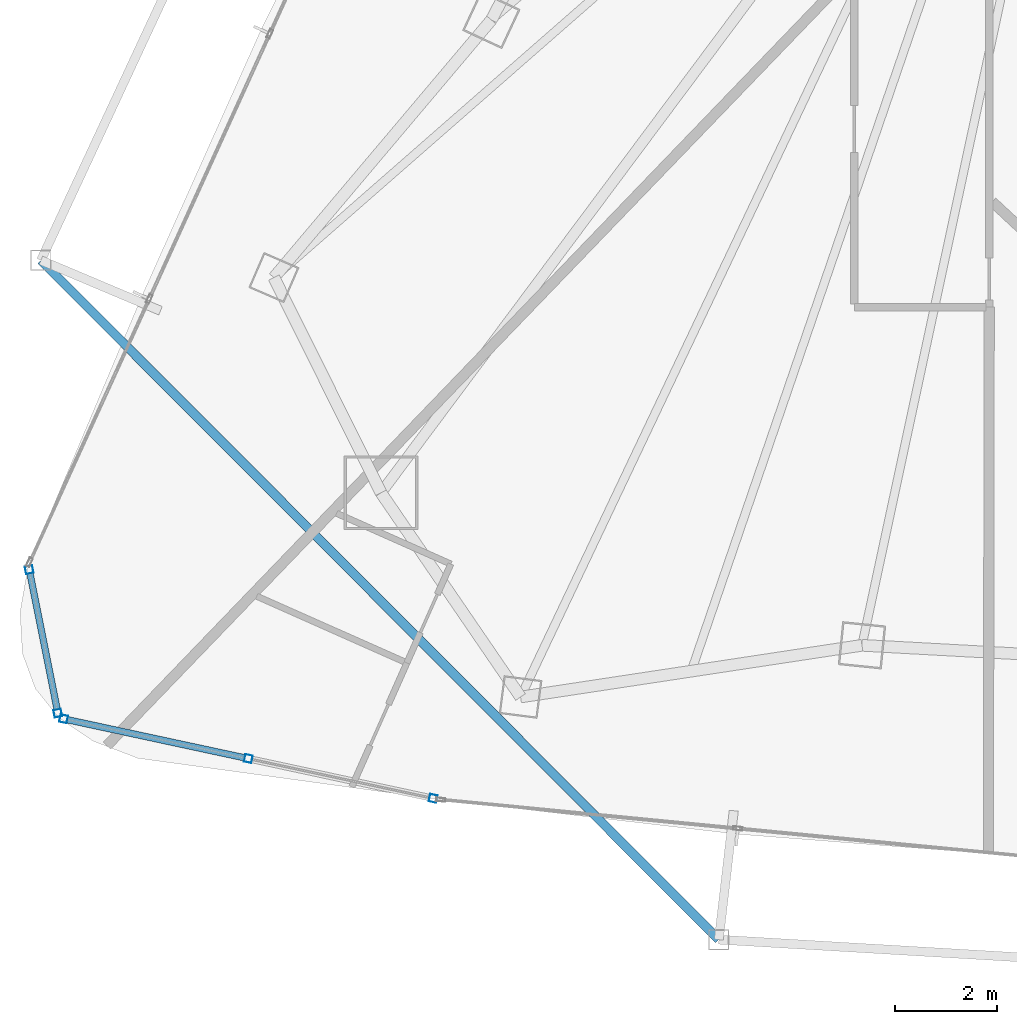
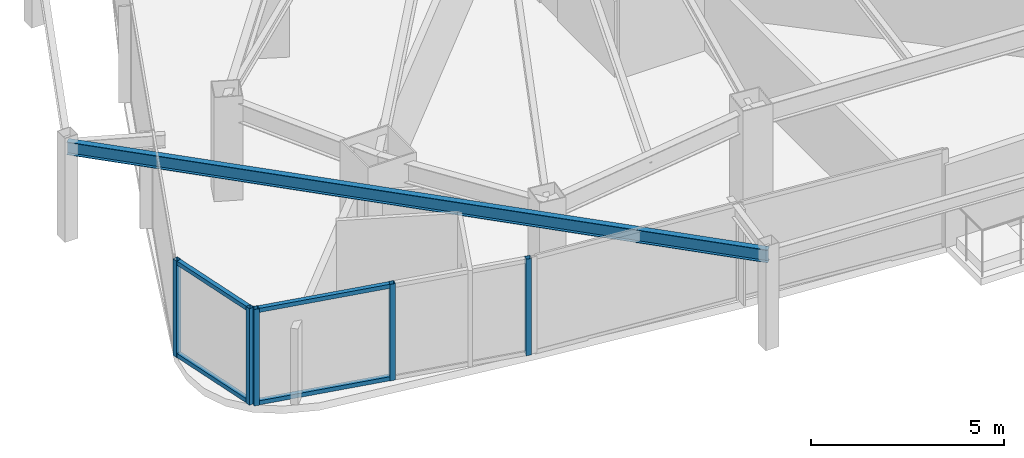
# One storey, part 2 of 31: 9 members, 1 beam, 2 elements without a shape of their own.
"""IFC4 building model written with IfcOpenShell, lengths in metres."""

import ifcopenshell
import ifcopenshell.guid

model = None  # the IFC model being written
_history = None  # IfcOwnerHistory: only IFC2X3 demands one
_inside = {}  # id of a spatial element -> (the spatial element, [elements in it])
_under = {}  # id of a project, library or spatial element -> (it, [spatial elements below it])
_declared = {}  # id of a project -> (the project, [libraries it declares])
_typed = {}  # id of a type object -> (the type object, [elements of that type])
_made_of = {}  # id of a material, layer set ... -> (it, [elements and type objects made of it])


def new_model(schema):
    """Start an empty IFC model of exactly this schema.

    Asked for "IFC4X3", IfcOpenShell would pick the latest addendum, in which some entities
    have other attributes; the version numbers below select the first issue.
    IFC2X3 requires an IfcOwnerHistory on every rooted entity: one is made here for all.
    """
    global model, _history
    if schema == "IFC4X3":
        model = ifcopenshell.file(schema_version=(4, 3, 0, 0))
    else:
        model = ifcopenshell.file(schema=schema)
    _inside.clear()
    _under.clear()
    _declared.clear()
    _typed.clear()
    _made_of.clear()
    _history = None
    if model.schema == "IFC2X3":
        org = make("IfcOrganization", Name="unknown")
        user = make(
            "IfcPersonAndOrganization",
            ThePerson=make("IfcPerson", FamilyName="unknown"),
            TheOrganization=org,
        )
        app = make(
            "IfcApplication",
            ApplicationDeveloper=org,
            Version="unknown",
            ApplicationFullName="unknown",
            ApplicationIdentifier="unknown",
        )
        _history = make(
            "IfcOwnerHistory",
            OwningUser=user,
            OwningApplication=app,
            ChangeAction="ADDED",
            CreationDate=0,
        )
    return model


def make(cls, **values):
    """One entity of the class cls with the attributes given. An attribute that is None is left unset."""
    return model.create_entity(
        cls, **{name: value for name, value in values.items() if value is not None}
    )


def rooted(cls, **values):
    """An entity with a GlobalId (a new one), such as an element, a storey or a relation."""
    return make(cls, GlobalId=ifcopenshell.guid.new(), OwnerHistory=_history, **values)


def si_unit(unit_type, name, prefix=None):
    """IfcSIUnit, for example si_unit("LENGTHUNIT", "METRE", prefix="MILLI")."""
    return make("IfcSIUnit", UnitType=unit_type, Prefix=prefix, Name=name)


def assignment(units):
    """IfcUnitAssignment: the units of a project."""
    return None if units is None else make("IfcUnitAssignment", Units=units)


def point(xyz):
    """IfcCartesianPoint."""
    return None if xyz is None else make("IfcCartesianPoint", Coordinates=xyz)


def direction(xyz):
    """IfcDirection."""
    return None if xyz is None else make("IfcDirection", DirectionRatios=xyz)


def frame(location, z_axis=None, x_axis=None):
    """IfcAxis2Placement3D, a coordinate frame: its origin and axes. An axis left out is left unset."""
    return make(
        "IfcAxis2Placement3D",
        Location=point(location),
        Axis=direction(z_axis),
        RefDirection=direction(x_axis),
    )


def frame_2d(location, x_axis=None):
    """IfcAxis2Placement2D, a coordinate frame in the plane: its origin and x axis."""
    return make(
        "IfcAxis2Placement2D", Location=point(location), RefDirection=direction(x_axis)
    )


def origin():
    """The frame at (0, 0, 0) with its axes left unset."""
    return frame((0.0, 0.0, 0.0))


def origin_2d():
    """The frame at (0, 0) in the plane with its x axis left unset."""
    return frame_2d((0.0, 0.0))


def place(relative_to, where):
    """IfcLocalPlacement: puts the frame where relative to a parent placement (None: the world)."""
    return make(
        "IfcLocalPlacement", PlacementRelTo=relative_to, RelativePlacement=where
    )


def context(
    kind, dimensions, precision=None, world=None, true_north=None, identifier=None
):
    """IfcGeometricRepresentationContext, for example the 3D "Model" context."""
    return make(
        "IfcGeometricRepresentationContext",
        ContextIdentifier=identifier,
        ContextType=kind,
        CoordinateSpaceDimension=dimensions,
        Precision=precision,
        WorldCoordinateSystem=world,
        TrueNorth=true_north,
    )


def subcontext(parent, identifier, kind, view, scale=None):
    """IfcGeometricRepresentationSubContext, for example "Body" below "Model"."""
    return make(
        "IfcGeometricRepresentationSubContext",
        ContextIdentifier=identifier,
        ContextType=kind,
        ParentContext=parent,
        TargetScale=scale,
        TargetView=view,
    )


def project(units=None, contexts=None):
    """IfcProject with its units and contexts."""
    return rooted(
        "IfcProject",
        Name="project",
        RepresentationContexts=contexts,
        UnitsInContext=assignment(units),
    )


def spatial(cls, under=None, at=None, **own):
    """A site, building, storey or space (cls), placed at a placement, below another one or the project."""
    s = rooted(cls, ObjectPlacement=at, **own)
    if under is not None:
        _under.setdefault(under.id(), (under, []))[1].append(s)
    return s


def profile(cls, at=None, kind="AREA", **sizes):
    """A parametric profile (cls). Its sizes go by their IFC names, for example OverallWidth=200.0."""
    return make(cls, ProfileType=kind, Position=at, **sizes)


def hollow_rectangle(**sizes):
    """IfcRectangleHollowProfileDef."""
    return profile("IfcRectangleHollowProfileDef", **sizes)


def i_section(**sizes):
    """IfcIShapeProfileDef."""
    return profile("IfcIShapeProfileDef", **sizes)


def extrude(swept, where, along, depth):
    """IfcExtrudedAreaSolid: the profile swept, set in the frame where, extruded along a direction by depth."""
    return make(
        "IfcExtrudedAreaSolid",
        SweptArea=swept,
        Position=where,
        ExtrudedDirection=direction(along),
        Depth=depth,
    )


def shape(context_of_items, identifier, shape_type, items):
    """IfcShapeRepresentation: the items that make up one representation, for example the "Body"."""
    return make(
        "IfcShapeRepresentation",
        ContextOfItems=context_of_items,
        RepresentationIdentifier=identifier,
        RepresentationType=shape_type,
        Items=items,
    )


def material(Name=None, Category=None):
    """IfcMaterial."""
    return make("IfcMaterial", Name=Name, Category=Category)


def layer(
    of_material, thickness, ventilated=None, Name=None, Category=None, Priority=None
):
    """IfcMaterialLayer: one layer of a wall or slab, of a material (None: an air gap)."""
    return make(
        "IfcMaterialLayer",
        Material=of_material,
        LayerThickness=thickness,
        IsVentilated=ventilated,
        Name=Name,
        Category=Category,
        Priority=Priority,
    )


def layer_set(layers, Name=None):
    """IfcMaterialLayerSet."""
    return make("IfcMaterialLayerSet", MaterialLayers=layers, LayerSetName=Name)


def material_profile(
    of_material, cross_section, Name=None, Category=None, Priority=None
):
    """IfcMaterialProfile: a cross section and its material."""
    return make(
        "IfcMaterialProfile",
        Name=Name,
        Material=of_material,
        Profile=cross_section,
        Priority=Priority,
        Category=Category,
    )


def profile_set(profiles, Name=None, composite=None):
    """IfcMaterialProfileSet."""
    return make(
        "IfcMaterialProfileSet",
        Name=Name,
        MaterialProfiles=profiles,
        CompositeProfile=composite,
    )


def made_of(thing, what):
    """Note that an element or type object is made of a material, layer set ...; save() writes the relation."""
    if what is not None:
        _made_of.setdefault(what.id(), (what, []))[1].append(thing)
    return thing


def type_object(cls, material=None, **own):
    """A type object (cls), such as IfcWallType, which elements share."""
    return made_of(rooted(cls, **own), material)


def element(
    cls,
    number,
    at=None,
    inside=None,
    cuts=None,
    type_object=None,
    material=None,
    context=None,
    identifier="Body",
    shape_type=None,
    held_by="IfcProductDefinitionShape",
    body=None,
    shapes=None,
    **own,
):
    """One element of the class cls, such as IfcWall. Its Tag is "e" and its number.

    at: its placement. inside: the storey or other place that contains it. cuts: it is an
    opening in that element (IfcRelVoidsElement). A single representation is given by context,
    identifier, shape_type and body (its items); several are given by shapes. held_by: the class
    of the entity that holds the representations. save() writes the other relations.
    """
    e = rooted(cls, Tag="e%d" % number, ObjectPlacement=at, **own)
    if body is not None:
        shapes = [shape(context, identifier, shape_type, body)]
    if shapes is not None:
        e.Representation = make(held_by, Representations=shapes)
    if inside is not None:
        _inside.setdefault(inside.id(), (inside, []))[1].append(e)
    if cuts is not None:
        rooted(
            "IfcRelVoidsElement", RelatingBuildingElement=cuts, RelatedOpeningElement=e
        )
    if type_object is not None:
        _typed.setdefault(type_object.id(), (type_object, []))[1].append(e)
    return made_of(e, material)


def aggregate(whole, parts):
    """IfcRelAggregates: a whole, such as a stair, and the parts it consists of."""
    return rooted("IfcRelAggregates", RelatingObject=whole, RelatedObjects=parts)


def save(model, path):
    """Write the relations noted so far, then the file.

    IfcRelAggregates (storeys below a building ...), IfcRelContainedInSpatialStructure (elements
    in a storey), IfcRelDefinesByType, IfcRelAssociatesMaterial and IfcRelDeclares: one each for
    every whole, place, type object, material and project.
    """
    for whole, parts in _under.values():
        aggregate(whole, parts)
    for where, things in _inside.values():
        rooted(
            "IfcRelContainedInSpatialStructure",
            RelatedElements=things,
            RelatingStructure=where,
        )
    for kind, things in _typed.values():
        rooted("IfcRelDefinesByType", RelatedObjects=things, RelatingType=kind)
    for what, things in _made_of.values():
        rooted("IfcRelAssociatesMaterial", RelatedObjects=things, RelatingMaterial=what)
    for by, libraries in _declared.values():
        rooted("IfcRelDeclares", RelatingContext=by, RelatedDefinitions=libraries)
    model.write(path)


model = new_model("IFC4")

# Units and contexts
model_context = context("Model", 3, precision=1e-05, world=origin(), true_north=direction((0.0, 1.0)))
body_context = subcontext(model_context, "Body", "Model", "MODEL_VIEW")
ifc_project = project(units=[si_unit("LENGTHUNIT", "METRE"), si_unit("AREAUNIT", "SQUARE_METRE"), si_unit("VOLUMEUNIT", "CUBIC_METRE"), si_unit("PLANEANGLEUNIT", "RADIAN"), si_unit("MASSUNIT", "GRAM", prefix="KILO")], contexts=[model_context])

# Site, building, storey
site_placement = place(None, origin())
site = spatial("IfcSite", under=ifc_project, at=site_placement, CompositionType="ELEMENT")
building_placement = place(site_placement, origin())
building = spatial("IfcBuilding", under=site, at=building_placement, Name="Orvanel Arch Residences", CompositionType="ELEMENT")
storey_placement = place(building_placement, frame((0.0, 0.0, 126.5)))
storey = spatial("IfcBuildingStorey", under=building, at=storey_placement, Name="L35", CompositionType="ELEMENT", Elevation=126.5)

# Curtain wall, members
ifc_material_1 = material(Name="Bronze-anodised aluminium AA6063-T6", Category="aluminium")
ifc_layer = layer(ifc_material_1, 0.18994140625)
ifc_layer_set = layer_set([ifc_layer], Name="Bronze-anodised aluminium AA6063-T6")
curtain_wall_type = type_object("IfcCurtainWallType", Name="CW5-CRN-SYS", PredefinedType="NOTDEFINED", material=ifc_layer_set)
curtain_wall_1_placement = place(storey_placement, origin())
curtain_wall_1 = element("IfcCurtainWall", 1, at=curtain_wall_1_placement, inside=storey, type_object=curtain_wall_type, Name="L35 CW5-CRN-SYS Unitised Curtain Wall", PredefinedType="NOTDEFINED")
ifc_material_profile_1 = material_profile(ifc_material_1, hollow_rectangle(XDim=0.14990234375, YDim=0.14990234375, WallThickness=0.0048828125, at=origin_2d()), Name="ALU150x150x5")
ifc_profile_set_1 = profile_set([ifc_material_profile_1], Name="Bronze-anodised aluminium AA6063-T6")
member_type_1 = type_object("IfcMemberType", Name="MUL-150x150", PredefinedType="MULLION", material=ifc_profile_set_1)
member_1_placement = place(storey_placement, frame((7.28759765625, 8.84033203125, 0.0), z_axis=(0.0, 0.0, 1.0), x_axis=(0.980644227977, 0.195798105544, 0.0)))
member_1 = element("IfcMember", 2, at=member_1_placement, type_object=member_type_1, Name="CW-S5 mullion 1", PredefinedType="MULLION", context=body_context, shape_type="SweptSolid", body=[
    extrude(hollow_rectangle(XDim=0.14990234375, YDim=0.14990234375, WallThickness=0.0048828125, at=origin_2d()), origin(), (0.0, 0.0, 1.0), 3.06005859375),
])
member_2_placement = place(storey_placement, frame((7.850341796875, 6.0224609375, 0.0), z_axis=(0.0, 0.0, 1.0), x_axis=(0.980644227977, 0.195798105544, 0.0)))
member_2 = element("IfcMember", 3, at=member_2_placement, type_object=member_type_1, Name="CW-S5 mullion 2", PredefinedType="MULLION", context=body_context, shape_type="SweptSolid", body=[
    extrude(hollow_rectangle(XDim=0.14990234375, YDim=0.14990234375, WallThickness=0.0048828125, at=origin_2d()), origin(), (0.0, 0.0, 1.0), 3.06005859375),
])

curtain_wall_2_placement = place(storey_placement, origin())
curtain_wall_2 = element("IfcCurtainWall", 4, at=curtain_wall_2_placement, inside=storey, type_object=curtain_wall_type, Name="L35 CW5-CRN-SYS Unitised Curtain Wall", PredefinedType="NOTDEFINED")
member_3_placement = place(storey_placement, frame((7.96240234375, 5.9091796875, 0.0), z_axis=(0.0, 0.0, 1.0), x_axis=(0.210385306266, 0.977618546728, 0.0)))
member_3 = element("IfcMember", 5, at=member_3_placement, type_object=member_type_1, Name="CW-S5 mullion 1", PredefinedType="MULLION", context=body_context, shape_type="SweptSolid", body=[
    extrude(hollow_rectangle(XDim=0.14990234375, YDim=0.14990234375, WallThickness=0.0048828125, at=origin_2d()), origin(), (0.0, 0.0, 1.0), 3.06005859375),
])
member_4_placement = place(storey_placement, frame((11.592529296875, 5.1279296875, 0.0), z_axis=(0.0, 0.0, 1.0), x_axis=(0.210385306266, 0.977618546728, 0.0)))
member_4 = element("IfcMember", 6, at=member_4_placement, type_object=member_type_1, Name="CW-S5 mullion 2", PredefinedType="MULLION", context=body_context, shape_type="SweptSolid", body=[
    extrude(hollow_rectangle(XDim=0.14990234375, YDim=0.14990234375, WallThickness=0.0048828125, at=origin_2d()), origin(), (0.0, 0.0, 1.0), 3.06005859375),
])
member_5_placement = place(storey_placement, frame((15.22265625, 4.3466796875, 0.0), z_axis=(0.0, 0.0, 1.0), x_axis=(0.210385306266, 0.977618546728, 0.0)))
member_5 = element("IfcMember", 7, at=member_5_placement, type_object=member_type_1, Name="CW-S5 mullion 3", PredefinedType="MULLION", context=body_context, shape_type="SweptSolid", body=[
    extrude(hollow_rectangle(XDim=0.14990234375, YDim=0.14990234375, WallThickness=0.0048828125, at=origin_2d()), origin(), (0.0, 0.0, 1.0), 3.06005859375),
])

# Beam
ifc_material_2 = material(Name="Structural steel AS/NZS 3679.1 Grade 300 (300 MPa)", Category="steel")
ifc_material_profile_2 = material_profile(ifc_material_2, i_section(OverallWidth=0.177978515625, OverallDepth=0.406005859375, WebThickness=0.0078125, FlangeThickness=0.0126953125, at=origin_2d()), Name="410UB59.7")
ifc_profile_set_2 = profile_set([ifc_material_profile_2], Name="Structural steel AS/NZS 3679.1 Grade 300 (300 MPa)")
beam_type = type_object("IfcBeamType", Name="OB-410UB-EXT", PredefinedType="SPANDREL", material=ifc_profile_set_2)
beam_placement = place(storey_placement, frame((7.51708984375, 14.9189453125, 2.85693359375), z_axis=(0.706361882732, -0.707850895756, 0.0), x_axis=(0.707850895756, 0.706361882732, 0.0)))
element("IfcBeam", 8, at=beam_placement, inside=storey, type_object=beam_type, Name="L35 Outer Perimeter Floor Ring Beam 04", PredefinedType="SPANDREL", context=body_context, shape_type="SweptSolid", body=[
    extrude(i_section(OverallWidth=0.177978515625, OverallDepth=0.406005859375, WebThickness=0.0078125, FlangeThickness=0.0126953125, at=origin_2d()), origin(), (0.0, 0.0, 1.0), 18.85546875),
])

# Member
ifc_material_profile_3 = material_profile(ifc_material_1, hollow_rectangle(XDim=0.1298828125, YDim=0.1298828125, WallThickness=0.00439453125, at=origin_2d()), Name="ALU130x130x4.5")
ifc_profile_set_3 = profile_set([ifc_material_profile_3], Name="Bronze-anodised aluminium AA6063-T6")
member_type_2 = type_object("IfcMemberType", Name="TRN-130x130", PredefinedType="USERDEFINED", material=ifc_profile_set_3)
member_6_placement = place(storey_placement, frame((7.302490234375, 8.766845703125, 0.06494140625), z_axis=(0.195788568652, -0.980646132091, 0.0), x_axis=(0.980646132091, 0.195788568652, 0.0)))
member_6 = element("IfcMember", 9, at=member_6_placement, type_object=member_type_2, Name="CW-S5 transom 1.1", ObjectType="TRANSOM", PredefinedType="USERDEFINED", context=body_context, shape_type="SweptSolid", body=[
    extrude(hollow_rectangle(XDim=0.1298828125, YDim=0.1298828125, WallThickness=0.00439453125, at=origin_2d()), origin(), (0.0, 0.0, 1.0), 2.723388671875),
])

member_7_placement = place(storey_placement, frame((7.302490234375, 8.766845703125, 2.9951171875), z_axis=(0.195788568652, -0.980646132091, 0.0), x_axis=(0.980646132091, 0.195788568652, 0.0)))
member_7 = element("IfcMember", 10, at=member_7_placement, type_object=member_type_2, Name="CW-S5 transom 1.2", ObjectType="TRANSOM", PredefinedType="USERDEFINED", context=body_context, shape_type="SweptSolid", body=[
    extrude(hollow_rectangle(XDim=0.1298828125, YDim=0.1298828125, WallThickness=0.00439453125, at=origin_2d()), origin(), (0.0, 0.0, 1.0), 2.723388671875),
])

aggregate(curtain_wall_1, [member_1, member_2, member_6, member_7])

member_8_placement = place(storey_placement, frame((8.03564453125, 5.8935546875, 0.06494140625), z_axis=(0.977614530448, -0.210403968253, 0.0), x_axis=(0.210403968253, 0.977614530448, 0.0)))
member_8 = element("IfcMember", 11, at=member_8_placement, type_object=member_type_2, Name="CW-S5 transom 1.1", ObjectType="TRANSOM", PredefinedType="USERDEFINED", context=body_context, shape_type="SweptSolid", body=[
    extrude(hollow_rectangle(XDim=0.1298828125, YDim=0.1298828125, WallThickness=0.00439453125, at=origin_2d()), origin(), (0.0, 0.0, 1.0), 3.5634765625),
])

member_9_placement = place(storey_placement, frame((8.03564453125, 5.8935546875, 2.9951171875), z_axis=(0.977614530448, -0.210403968253, 0.0), x_axis=(0.210403968253, 0.977614530448, 0.0)))
member_9 = element("IfcMember", 12, at=member_9_placement, type_object=member_type_2, Name="CW-S5 transom 1.2", ObjectType="TRANSOM", PredefinedType="USERDEFINED", context=body_context, shape_type="SweptSolid", body=[
    extrude(hollow_rectangle(XDim=0.1298828125, YDim=0.1298828125, WallThickness=0.00439453125, at=origin_2d()), origin(), (0.0, 0.0, 1.0), 3.5634765625),
])

aggregate(curtain_wall_2, [member_3, member_4, member_5, member_8, member_9])

save(model, "model.ifc")
